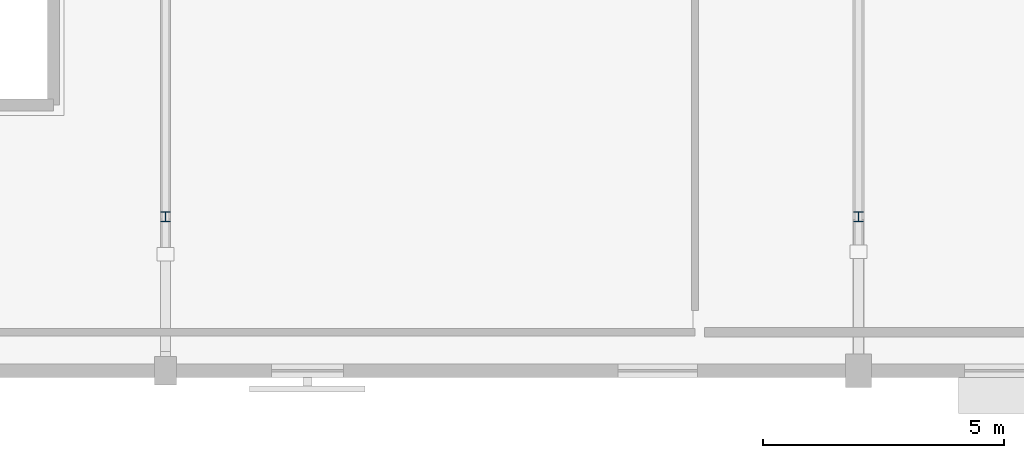
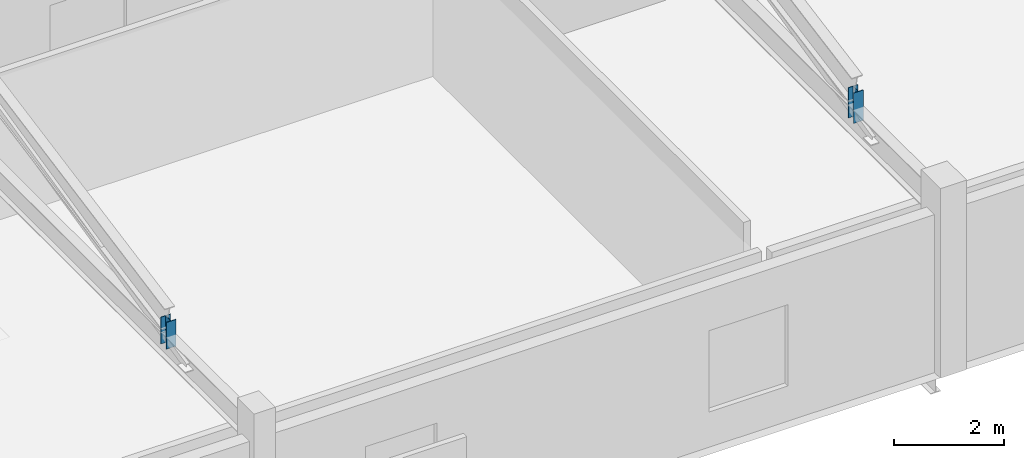
# One storey, part 47 of 92: 2 members.
"""IFC4 building model written with IfcOpenShell, lengths in metres."""

from ifc_helpers import new_model, si_unit, direction, frame, origin, origin_2d, place, context, subcontext, project, spatial, i_section, extrude, material, material_profile, profile_set, type_object, element, save


model = new_model("IFC4")

# Units and contexts
model_context = context("Model", 3, precision=1e-05, world=origin(), true_north=direction((0.0, 1.0)))
body_context = subcontext(model_context, "Body", "Model", "MODEL_VIEW")
ifc_project = project(units=[si_unit("LENGTHUNIT", "METRE"), si_unit("AREAUNIT", "SQUARE_METRE"), si_unit("VOLUMEUNIT", "CUBIC_METRE"), si_unit("PLANEANGLEUNIT", "RADIAN"), si_unit("MASSUNIT", "GRAM", prefix="KILO")], contexts=[model_context])

# Site, building, storey
site_placement = place(None, origin())
site = spatial("IfcSite", under=ifc_project, at=site_placement, CompositionType="ELEMENT")
building_placement = place(site_placement, origin())
building = spatial("IfcBuilding", under=site, at=building_placement, Name="Solanera Park Tramway Depot", CompositionType="ELEMENT")
storey_placement = place(building_placement, frame((0.0, 0.0, 4.800048828125)))
storey = spatial("IfcBuildingStorey", under=building, at=storey_placement, Name="L01", CompositionType="ELEMENT", Elevation=4.800048828125)

# Members
ifc_material = material(Name="Steel AS/NZS 3679.1 Grade 350", Category="steel")
ifc_material_profile = material_profile(ifc_material, i_section(OverallWidth=0.205078125, OverallDepth=0.209716796875, WebThickness=0.00927734375, FlangeThickness=0.01416015625, at=origin_2d()), Name="200UC59.5")
ifc_profile_set = profile_set([ifc_material_profile], Name="Steel AS/NZS 3679.1 Grade 350")
member_type = type_object("IfcMemberType", Name="Roof Gantry Compression Strut 200UC59.5", PredefinedType="STRUT", material=ifc_profile_set)
member_1_placement = place(storey_placement, frame((180.0, 118.39990234375, 3.533447265625), z_axis=(0.0, 0.0, 1.0), x_axis=(1.0, 0.0, 0.0)))
element("IfcMember", 1, at=member_1_placement, inside=storey, type_object=member_type, Name="Hip ROOF TRUSS Heel Post #0116", PredefinedType="STRUT", context=body_context, shape_type="SweptSolid", body=[
    extrude(i_section(OverallWidth=0.205078125, OverallDepth=0.209716796875, WebThickness=0.00927734375, FlangeThickness=0.01416015625, at=origin_2d()), origin(), (0.0, 0.0, 1.0), 0.593017578125),
])
member_2_placement = place(storey_placement, frame((194.39990234375, 118.39990234375, 3.494140625), z_axis=(0.0, 0.0, 1.0), x_axis=(1.0, 0.0, 0.0)))
element("IfcMember", 2, at=member_2_placement, inside=storey, type_object=member_type, Name="Hip ROOF TRUSS Heel Post #0119", PredefinedType="STRUT", context=body_context, shape_type="SweptSolid", body=[
    extrude(i_section(OverallWidth=0.205078125, OverallDepth=0.209716796875, WebThickness=0.00927734375, FlangeThickness=0.01416015625, at=origin_2d()), origin(), (0.0, 0.0, 1.0), 0.671630859375),
])

save(model, "model.ifc")
